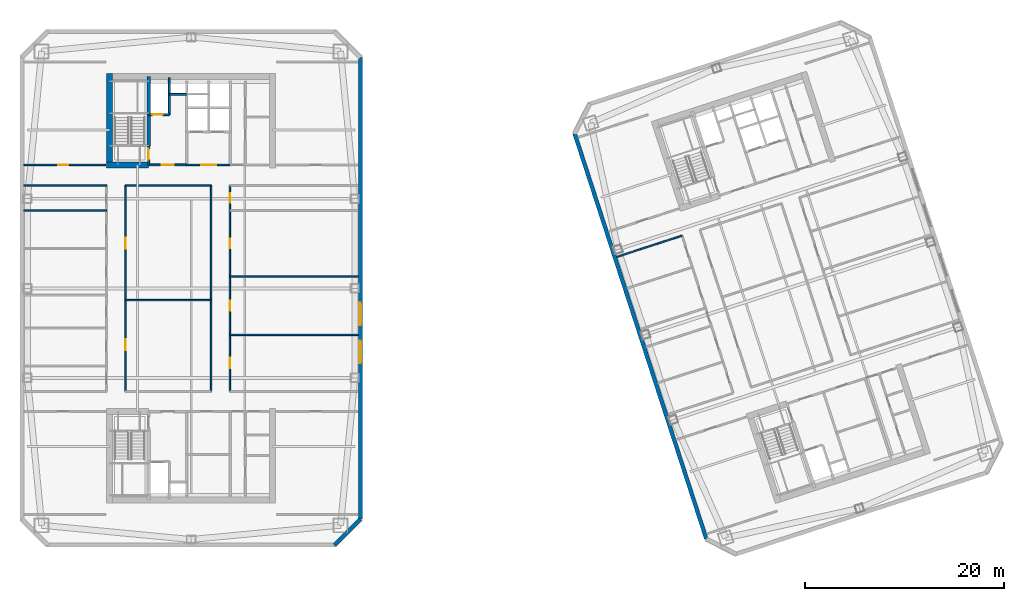
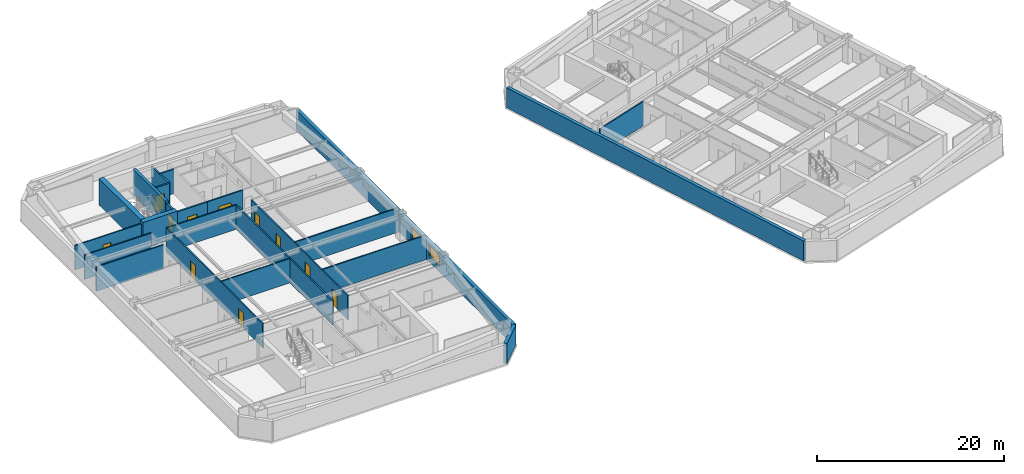
# One storey, part 6 of 13: 23 walls, 11 doors, 2 windows, 13 openings.
"""IFC4 building model written with IfcOpenShell, lengths in metres."""

from ifc_helpers import new_model, si_unit, direction, frame, frame_2d, origin, place, context, subcontext, project, spatial, rectangle, extrude, material, layer, layer_set, type_object, element, fill, save


model = new_model("IFC4")

# Units and contexts
model_context = context("Model", 3, precision=1e-05, world=origin(), true_north=direction((0.0, 1.0)))
body_context = subcontext(model_context, "Body", "Model", "MODEL_VIEW")
ifc_project = project(units=[si_unit("LENGTHUNIT", "METRE"), si_unit("AREAUNIT", "SQUARE_METRE"), si_unit("VOLUMEUNIT", "CUBIC_METRE"), si_unit("PLANEANGLEUNIT", "RADIAN"), si_unit("MASSUNIT", "GRAM", prefix="KILO")], contexts=[model_context])

# Site, building, storey
site_placement = place(None, origin())
site = spatial("IfcSite", under=ifc_project, at=site_placement, CompositionType="ELEMENT")
building_placement = place(site_placement, origin())
building = spatial("IfcBuilding", under=site, at=building_placement, Name="Qiaolan Cultural Towers", CompositionType="ELEMENT")
storey_placement = place(building_placement, frame((0.0, 0.0, 170.199951171875)))
storey = spatial("IfcBuildingStorey", under=building, at=storey_placement, Name="L45", CompositionType="ELEMENT", Elevation=170.199951171875)

# Walls
ifc_material_1 = material(Name="Concrete C50", Category="concrete")
ifc_layer_1 = layer(ifc_material_1, 0.35009765625)
ifc_layer_set_1 = layer_set([ifc_layer_1], Name="Concrete C50")
wall_type_1 = type_object("IfcWallType", Name="WL-CORE-350", PredefinedType="SHEAR", material=ifc_layer_set_1)
wall_1_placement = place(storey_placement, frame((25.719970703125, 48.300048828125, 0.0), z_axis=(0.0, 0.0, 1.0), x_axis=(0.0, 1.0, 0.0)))
element("IfcWall", 1, at=wall_1_placement, inside=storey, type_object=wall_type_1, Name="L45 T1-CN Stair Core Dividing Web", PredefinedType="SHEAR", context=body_context, shape_type="SweptSolid", body=[
    extrude(rectangle(XDim=6.97998046875, YDim=0.35009765625, at=frame_2d((3.489990234375, 0.0))), origin(), (0.0, 0.0, 1.0), 3.449951171875),
])
ifc_material_2 = material(Name="Concrete C55", Category="concrete")
ifc_layer_2 = layer(ifc_material_2, 0.60009765625)
ifc_layer_set_2 = layer_set([ifc_layer_2], Name="Concrete C55")
wall_type_2 = type_object("IfcWallType", Name="WL-CORE-600", PredefinedType="SHEAR", material=ifc_layer_set_2)
wall_2_placement = place(storey_placement, frame((21.800048828125, 46.10009765625, 0.0), z_axis=(0.0, 0.0, 1.0), x_axis=(0.0, 1.0, 0.0)))
element("IfcWall", 2, at=wall_2_placement, inside=storey, type_object=wall_type_2, Name="L45 T1-CN West Core Shear Wall", PredefinedType="SHEAR", context=body_context, shape_type="SweptSolid", body=[
    extrude(rectangle(XDim=9.47998046875, YDim=0.60009765625, at=frame_2d((4.739990234375, 0.0))), origin(), (0.0, 0.0, 1.0), 3.449951171875),
])
wall_3_placement = place(storey_placement, frame((21.5, 46.39990234375, 0.0), z_axis=(0.0, 0.0, 1.0), x_axis=(1.0, 0.0, 0.0)))
element("IfcWall", 3, at=wall_3_placement, inside=storey, type_object=wall_type_2, Name="L45 T1-CN Stair Front Shear Wall", PredefinedType="SHEAR", context=body_context, shape_type="SweptSolid", body=[
    extrude(rectangle(XDim=4.219970703125, YDim=0.60009765625, at=frame_2d((2.10986328125, 0.0))), origin(), (0.0, 0.0, 1.0), 3.449951171875),
])

# Wall, openings, windows
ifc_material_3 = material(Name="Precast Concrete C50 Honed Stone Pier", Category="masonry")
ifc_layer_3 = layer(ifc_material_3, 0.39990234375)
ifc_layer_set_3 = layer_set([ifc_layer_3], Name="Precast Concrete C50 Honed Stone Pier")
wall_type_3 = type_object("IfcWallType", Name="WL-EXT-PIER-400", PredefinedType="SOLIDWALL", material=ifc_layer_set_3)
wall_4_placement = place(storey_placement, frame((47.0, 57.199951171875, 0.0), z_axis=(0.0, 0.0, 1.0), x_axis=(0.0, -1.0, 0.0)))
wall_4 = element("IfcWall", 4, at=wall_4_placement, inside=storey, type_object=wall_type_3, Name="L45 West Tower Precast Pier Facade Wall F5", PredefinedType="SOLIDWALL", context=body_context, shape_type="SweptSolid", body=[
    extrude(rectangle(XDim=46.39990234375, YDim=0.39990234375, at=frame_2d((23.199951171875, 0.0))), origin(), (0.0, 0.0, 1.0), 2.610107421875),
])
opening_1_placement = place(wall_4_placement, frame((28.47509765625, 0.0, 0.75)))
opening_1 = element("IfcOpeningElement", 5, at=opening_1_placement, cuts=wall_4, Name="Opening W-03", PredefinedType="OPENING", context=body_context, shape_type="SweptSolid", body=[
    extrude(rectangle(XDim=2.25, YDim=1.4599609375, at=frame_2d((1.125, 0.72998046875))), frame((0.0, 0.2099609375, 0.0), z_axis=(0.0, -1.0, 0.0), x_axis=(1.0, 0.0, 0.0)), (0.0, 0.0, 1.0), 0.419921875),
])
opening_2_placement = place(wall_4_placement, frame((24.675048828125, 0.0, 0.75)))
opening_2 = element("IfcOpeningElement", 6, at=opening_2_placement, cuts=wall_4, Name="Opening W-03", PredefinedType="OPENING", context=body_context, shape_type="SweptSolid", body=[
    extrude(rectangle(XDim=2.25, YDim=1.4599609375, at=frame_2d((1.125, 0.72998046875))), frame((0.0, 0.2099609375, 0.0), z_axis=(0.0, -1.0, 0.0), x_axis=(1.0, 0.0, 0.0)), (0.0, 0.0, 1.0), 0.419921875),
])
ifc_material_4 = material(Name="Thermally Broken Aluminium Triple Low-E Glazing", Category="aluminium")
window_type = type_object("IfcWindowType", Name="WN-CHIC-2250", PartitioningType="SINGLE_PANEL", PredefinedType="WINDOW", material=ifc_material_4)
window_1_placement = place(opening_1_placement, origin())
window_1 = element("IfcWindow", 7, at=window_1_placement, inside=storey, type_object=window_type, Name="L45 T1 E Chicago Bay Window 1", OverallHeight=1.4599609375, OverallWidth=2.25, PartitioningType="TRIPLE_PANEL_VERTICAL", PredefinedType="WINDOW", context=body_context, shape_type="SweptSolid", body=[
    extrude(rectangle(XDim=2.25, YDim=1.4599609375, at=frame_2d((1.125, 0.72998046875))), frame((0.0, 0.030029296875, 0.0), z_axis=(0.0, -1.0, 0.0), x_axis=(1.0, 0.0, 0.0)), (0.0, 0.0, 1.0), 0.06005859375),
])
fill(opening_1, window_1)
window_2_placement = place(opening_2_placement, origin())
window_2 = element("IfcWindow", 8, at=window_2_placement, inside=storey, type_object=window_type, Name="L45 T1 E Chicago Bay Window 2", OverallHeight=1.4599609375, OverallWidth=2.25, PartitioningType="TRIPLE_PANEL_VERTICAL", PredefinedType="WINDOW", context=body_context, shape_type="SweptSolid", body=[
    extrude(rectangle(XDim=2.25, YDim=1.4599609375, at=frame_2d((1.125, 0.72998046875))), frame((0.0, 0.030029296875, 0.0), z_axis=(0.0, -1.0, 0.0), x_axis=(1.0, 0.0, 0.0)), (0.0, 0.0, 1.0), 0.06005859375),
])
fill(opening_2, window_2)

# Walls
wall_5_placement = place(storey_placement, frame((47.0, 10.800048828125, 0.0), z_axis=(0.0, 0.0, 1.0), x_axis=(-0.707106781187, -0.707106781187, 0.0)))
element("IfcWall", 9, at=wall_5_placement, inside=storey, type_object=wall_type_3, Name="L45 West Tower Precast Pier Facade Wall F6", PredefinedType="SOLIDWALL", context=body_context, shape_type="SweptSolid", body=[
    extrude(rectangle(XDim=3.677001953125, YDim=0.39990234375, at=frame_2d((1.83837890625, 0.0))), origin(), (0.0, 0.0, 1.0), 2.610107421875),
])
wall_6_placement = place(storey_placement, frame((81.7763671875, 8.82666015625, 0.0), z_axis=(0.0, 0.0, 1.0), x_axis=(-0.309014228706, 0.951057414911, 0.0)))
element("IfcWall", 10, at=wall_6_placement, inside=storey, type_object=wall_type_3, Name="L45 East Tower Precast Pier Facade Wall F1", PredefinedType="SOLIDWALL", context=body_context, shape_type="SweptSolid", body=[
    extrude(rectangle(XDim=42.800048828125, YDim=0.39990234375, at=frame_2d((21.39990234375, 0.0))), origin(), (0.0, 0.0, 1.0), 2.610107421875),
])

# Wall, opening, door
ifc_material_5 = material(Name="Concrete C35 Fire Wall", Category="concrete")
ifc_layer_4 = layer(ifc_material_5, 0.199951171875)
ifc_layer_set_4 = layer_set([ifc_layer_4], Name="Concrete C35 Fire Wall")
wall_type_4 = type_object("IfcWallType", Name="WL-FIRE-200", PredefinedType="PARTITIONING", material=ifc_layer_set_4)
wall_7_placement = place(storey_placement, frame((25.719970703125, 46.39990234375, 0.0), z_axis=(0.0, 0.0, 1.0), x_axis=(0.0, 1.0, 0.0)))
wall_7 = element("IfcWall", 11, at=wall_7_placement, inside=storey, type_object=wall_type_4, Name="L45 T1-CN Smokeproof Stair Entry Wall", PredefinedType="PARTITIONING", context=body_context, shape_type="SweptSolid", body=[
    extrude(rectangle(XDim=1.900146484375, YDim=0.199951171875, at=frame_2d((0.9501953125, 0.0))), origin(), (0.0, 0.0, 1.0), 3.175048828125),
])
opening_3_placement = place(wall_7_placement, frame((0.52001953125, 0.0, 0.0)))
opening_3 = element("IfcOpeningElement", 12, at=opening_3_placement, cuts=wall_7, Name="Opening FD-04", PredefinedType="OPENING", context=body_context, shape_type="SweptSolid", body=[
    extrude(rectangle(XDim=1.10009765625, YDim=2.050048828125, at=frame_2d((0.550048828125, 1.02490234375))), frame((0.0, 0.10986328125, 0.0), z_axis=(0.0, -1.0, 0.0), x_axis=(1.0, 0.0, 0.0)), (0.0, 0.0, 1.0), 0.219970703125),
])
ifc_material_6 = material(Name="Galvanized Steel Command Fire Door", Category="steel")
door_type_1 = type_object("IfcDoorType", Name="DR-FD90-1100", OperationType="NOTDEFINED", PredefinedType="DOOR", material=ifc_material_6)
door_1_placement = place(opening_3_placement, origin())
door_1 = element("IfcDoor", 13, at=door_1_placement, inside=storey, type_object=door_type_1, Name="L45 ST-W2 Smokeproof Stair Fire Door", OperationType="SINGLE_SWING_LEFT", OverallHeight=2.050048828125, OverallWidth=1.10009765625, PredefinedType="DOOR", context=body_context, shape_type="SweptSolid", body=[
    extrude(rectangle(XDim=1.10009765625, YDim=2.050048828125, at=frame_2d((0.550048828125, 1.02490234375))), frame((0.0, 0.02490234375, 0.0), z_axis=(0.0, -1.0, 0.0), x_axis=(1.0, 0.0, 0.0)), (0.0, 0.0, 1.0), 0.050048828125),
])
fill(opening_3, door_1)

wall_8_placement = place(storey_placement, frame((25.719970703125, 46.39990234375, 0.0), z_axis=(0.0, 0.0, 1.0), x_axis=(1.0, 0.0, 0.0)))
wall_8 = element("IfcWall", 14, at=wall_8_placement, inside=storey, type_object=wall_type_4, Name="L45 T1-CN Firefighting Lobby Front Wall", PredefinedType="PARTITIONING", context=body_context, shape_type="SweptSolid", body=[
    extrude(rectangle(XDim=3.830078125, YDim=0.199951171875, at=frame_2d((1.9150390625, 0.0))), origin(), (0.0, 0.0, 1.0), 3.175048828125),
])
opening_4_placement = place(wall_8_placement, frame((1.35009765625, 0.0, 0.0)))
opening_4 = element("IfcOpeningElement", 15, at=opening_4_placement, cuts=wall_8, Name="Opening FD-03", PredefinedType="OPENING", context=body_context, shape_type="SweptSolid", body=[
    extrude(rectangle(XDim=1.199951171875, YDim=2.050048828125, at=frame_2d((0.60009765625, 1.02490234375))), frame((0.0, 0.10986328125, 0.0), z_axis=(0.0, -1.0, 0.0), x_axis=(1.0, 0.0, 0.0)), (0.0, 0.0, 1.0), 0.219970703125),
])
ifc_material_7 = material(Name="Galvanized Steel Smokeproof Lobby Fire Door", Category="steel")
door_type_2 = type_object("IfcDoorType", Name="DR-FD90-1200", OperationType="NOTDEFINED", PredefinedType="DOOR", material=ifc_material_7)
door_2_placement = place(opening_4_placement, origin())
door_2 = element("IfcDoor", 16, at=door_2_placement, inside=storey, type_object=door_type_2, Name="L45 FFL-W2 Firefighting Lobby Fire Door", OperationType="SINGLE_SWING_LEFT", OverallHeight=2.050048828125, OverallWidth=1.199951171875, PredefinedType="DOOR", context=body_context, shape_type="SweptSolid", body=[
    extrude(rectangle(XDim=1.199951171875, YDim=2.050048828125, at=frame_2d((0.60009765625, 1.02490234375))), frame((0.0, 0.02490234375, 0.0), z_axis=(0.0, -1.0, 0.0), x_axis=(1.0, 0.0, 0.0)), (0.0, 0.0, 1.0), 0.050048828125),
])
fill(opening_4, door_2)

wall_9_placement = place(storey_placement, frame((25.719970703125, 51.449951171875, 0.0), z_axis=(0.0, 0.0, 1.0), x_axis=(1.0, 0.0, 0.0)))
wall_9 = element("IfcWall", 17, at=wall_9_placement, inside=storey, type_object=wall_type_4, Name="L45 T1-CN Firefighting Shaft Front Wall", PredefinedType="PARTITIONING", context=body_context, shape_type="SweptSolid", body=[
    extrude(rectangle(XDim=2.10009765625, YDim=0.199951171875, at=frame_2d((1.050048828125, 0.0))), origin(), (0.0, 0.0, 1.0), 3.175048828125),
])
opening_5_placement = place(wall_9_placement, frame((0.35009765625, 0.0, 0.0)))
opening_5 = element("IfcOpeningElement", 18, at=opening_5_placement, cuts=wall_9, Name="Opening LD-01", PredefinedType="OPENING", context=body_context, shape_type="SweptSolid", body=[
    extrude(rectangle(XDim=1.10009765625, YDim=2.050048828125, at=frame_2d((0.550048828125, 1.02490234375))), frame((0.0, 0.10986328125, 0.0), z_axis=(0.0, -1.0, 0.0), x_axis=(1.0, 0.0, 0.0)), (0.0, 0.0, 1.0), 0.219970703125),
])
ifc_material_8 = material(Name="Brushed Stainless Steel S30408 Centre-Parting Lift Landing Door", Category="steel")
door_type_3 = type_object("IfcDoorType", Name="DR-LIFT-1100", OperationType="NOTDEFINED", PredefinedType="DOOR", material=ifc_material_8)
door_3_placement = place(opening_5_placement, origin())
door_3 = element("IfcDoor", 19, at=door_3_placement, inside=storey, type_object=door_type_3, Name="L45 FFL-W2 Firefighting Lift Landing Door", OperationType="DOUBLE_DOOR_SLIDING", OverallHeight=2.050048828125, OverallWidth=1.10009765625, PredefinedType="DOOR", context=body_context, shape_type="SweptSolid", body=[
    extrude(rectangle(XDim=1.10009765625, YDim=2.050048828125, at=frame_2d((0.550048828125, 1.02490234375))), frame((0.0, 0.02490234375, 0.0), z_axis=(0.0, -1.0, 0.0), x_axis=(1.0, 0.0, 0.0)), (0.0, 0.0, 1.0), 0.050048828125),
])
fill(opening_5, door_3)

# Walls
wall_10_placement = place(storey_placement, frame((27.820068359375, 51.449951171875, 0.0), z_axis=(0.0, 0.0, 1.0), x_axis=(0.0, 1.0, 0.0)))
element("IfcWall", 20, at=wall_10_placement, inside=storey, type_object=wall_type_4, Name="L45 T1-CN Firefighting Hoistway East Wall", PredefinedType="PARTITIONING", context=body_context, shape_type="SweptSolid", body=[
    extrude(rectangle(XDim=3.699951171875, YDim=0.199951171875, at=frame_2d((1.85009765625, 0.0))), origin(), (0.0, 0.0, 1.0), 3.175048828125),
])
wall_11_placement = place(storey_placement, frame((27.820068359375, 53.47998046875, 0.0), z_axis=(0.0, 0.0, 1.0), x_axis=(1.0, 0.0, 0.0)))
element("IfcWall", 21, at=wall_11_placement, inside=storey, type_object=wall_type_4, Name="L45 T1-CN Pressurization Shaft Front Wall", PredefinedType="PARTITIONING", context=body_context, shape_type="SweptSolid", body=[
    extrude(rectangle(XDim=1.72998046875, YDim=0.199951171875, at=frame_2d((0.864990234375, 0.0))), origin(), (0.0, 0.0, 1.0), 3.175048828125),
])

# Wall, opening, door
ifc_material_9 = material(Name="Autoclaved Aerated Concrete Block B06", Category="concrete")
ifc_layer_5 = layer(ifc_material_9, 0.14990234375)
ifc_layer_set_5 = layer_set([ifc_layer_5], Name="Autoclaved Aerated Concrete Block B06")
wall_type_5 = type_object("IfcWallType", Name="WL-PART-150", PredefinedType="PARTITIONING", material=ifc_layer_set_5)
wall_12_placement = place(storey_placement, frame((29.550048828125, 46.39990234375, 0.0), z_axis=(0.0, 0.0, 1.0), x_axis=(1.0, 0.0, 0.0)))
wall_12 = element("IfcWall", 22, at=wall_12_placement, inside=storey, type_object=wall_type_5, Name="L45 T1-CN Passenger Lift Lobby Front Wall", PredefinedType="PARTITIONING", context=body_context, shape_type="SweptSolid", body=[
    extrude(rectangle(XDim=4.39990234375, YDim=0.14990234375, at=frame_2d((2.199951171875, 0.0))), origin(), (0.0, 0.0, 1.0), 3.175048828125),
])
opening_6_placement = place(wall_12_placement, frame((1.449951171875, 0.0, 0.0)))
opening_6 = element("IfcOpeningElement", 23, at=opening_6_placement, cuts=wall_12, Name="Opening FD-05", PredefinedType="OPENING", context=body_context, shape_type="SweptSolid", body=[
    extrude(rectangle(XDim=1.5, YDim=2.050048828125, at=frame_2d((0.75, 1.02490234375))), frame((0.0, 0.0849609375, 0.0), z_axis=(0.0, -1.0, 0.0), x_axis=(1.0, 0.0, 0.0)), (0.0, 0.0, 1.0), 0.169921875),
])
ifc_material_10 = material(Name="Painted Steel Lift Lobby Fire Door", Category="steel")
door_type_4 = type_object("IfcDoorType", Name="DR-FD60-1500", OperationType="NOTDEFINED", PredefinedType="DOOR", material=ifc_material_10)
door_4_placement = place(opening_6_placement, origin())
door_4 = element("IfcDoor", 24, at=door_4_placement, inside=storey, type_object=door_type_4, Name="L45 Passenger Lift Lobby Entrance", OperationType="SINGLE_SWING_LEFT", OverallHeight=2.050048828125, OverallWidth=1.5, PredefinedType="DOOR", context=body_context, shape_type="SweptSolid", body=[
    extrude(rectangle(XDim=1.5, YDim=2.050048828125, at=frame_2d((0.75, 1.02490234375))), frame((0.0, 0.02490234375, 0.0), z_axis=(0.0, -1.0, 0.0), x_axis=(1.0, 0.0, 0.0)), (0.0, 0.0, 1.0), 0.050048828125),
])
fill(opening_6, door_4)

wall_13_placement = place(storey_placement, frame((13.199951171875, 46.39990234375, 0.0), z_axis=(0.0, 0.0, 1.0), x_axis=(1.0, 0.0, 0.0)))
wall_13 = element("IfcWall", 25, at=wall_13_placement, inside=storey, type_object=wall_type_5, Name="L45 T1 Flank Front FLK-NW", PredefinedType="PARTITIONING", context=body_context, shape_type="SweptSolid", body=[
    extrude(rectangle(XDim=8.199951171875, YDim=0.14990234375, at=frame_2d((4.10009765625, 0.0))), origin(), (0.0, 0.0, 1.0), 3.175048828125),
])
opening_7_placement = place(wall_13_placement, frame((3.444091796875, 0.0, 0.0)))
opening_7 = element("IfcOpeningElement", 26, at=opening_7_placement, cuts=wall_13, Name="Opening ID-04", PredefinedType="OPENING", context=body_context, shape_type="SweptSolid", body=[
    extrude(rectangle(XDim=1.0, YDim=2.050048828125, at=frame_2d((0.5, 1.02490234375))), frame((0.0, 0.0849609375, 0.0), z_axis=(0.0, -1.0, 0.0), x_axis=(1.0, 0.0, 0.0)), (0.0, 0.0, 1.0), 0.169921875),
])
ifc_material_11 = material(Name="Oak Veneer Acoustic Office Door", Category="timber")
door_type_5 = type_object("IfcDoorType", Name="DR-INT-1000", OperationType="NOTDEFINED", PredefinedType="DOOR", material=ifc_material_11)
door_5_placement = place(opening_7_placement, origin())
door_5 = element("IfcDoor", 27, at=door_5_placement, inside=storey, type_object=door_type_5, Name="L45 T1 Corner Studio Door", OperationType="SINGLE_SWING_LEFT", OverallHeight=2.050048828125, OverallWidth=1.0, PredefinedType="DOOR", context=body_context, shape_type="SweptSolid", body=[
    extrude(rectangle(XDim=1.0, YDim=2.050048828125, at=frame_2d((0.5, 1.02490234375))), frame((0.0, 0.02490234375, 0.0), z_axis=(0.0, -1.0, 0.0), x_axis=(1.0, 0.0, 0.0)), (0.0, 0.0, 1.0), 0.050048828125),
])
fill(opening_7, door_5)

# Walls
wall_14_placement = place(storey_placement, frame((13.199951171875, 44.35009765625, 0.0), z_axis=(0.0, 0.0, 1.0), x_axis=(1.0, 0.0, 0.0)))
element("IfcWall", 28, at=wall_14_placement, inside=storey, type_object=wall_type_5, Name="L45 T1 Interior Wall", PredefinedType="PARTITIONING", context=body_context, shape_type="SweptSolid", body=[
    extrude(rectangle(XDim=8.300048828125, YDim=0.14990234375, at=frame_2d((4.14990234375, 0.0))), origin(), (0.0, 0.0, 1.0), 3.175048828125),
])
wall_15_placement = place(storey_placement, frame((23.39990234375, 44.35009765625, 0.0), z_axis=(0.0, 0.0, 1.0), x_axis=(1.0, 0.0, 0.0)))
element("IfcWall", 29, at=wall_15_placement, inside=storey, type_object=wall_type_5, Name="L45 T1 Interior Wall", PredefinedType="PARTITIONING", context=body_context, shape_type="SweptSolid", body=[
    extrude(rectangle(XDim=8.60009765625, YDim=0.14990234375, at=frame_2d((4.300048828125, 0.0))), origin(), (0.0, 0.0, 1.0), 3.175048828125),
])

# Wall, openings, doors
wall_16_placement = place(storey_placement, frame((23.39990234375, 23.64990234375, 0.0), z_axis=(0.0, 0.0, 1.0), x_axis=(0.0, 1.0, 0.0)))
wall_16 = element("IfcWall", 30, at=wall_16_placement, inside=storey, type_object=wall_type_5, Name="L45 T1 Interior Wall", PredefinedType="PARTITIONING", context=body_context, shape_type="SweptSolid", body=[
    extrude(rectangle(XDim=20.7001953125, YDim=0.14990234375, at=frame_2d((10.35009765625, 0.0))), origin(), (0.0, 0.0, 1.0), 3.175048828125),
])
opening_8_placement = place(wall_16_placement, frame((4.117431640625, 0.0, 0.0)))
opening_8 = element("IfcOpeningElement", 31, at=opening_8_placement, cuts=wall_16, Name="Opening ID-03", PredefinedType="OPENING", context=body_context, shape_type="SweptSolid", body=[
    extrude(rectangle(XDim=1.10009765625, YDim=2.050048828125, at=frame_2d((0.550048828125, 1.02490234375))), frame((0.0, 0.0849609375, 0.0), z_axis=(0.0, -1.0, 0.0), x_axis=(1.0, 0.0, 0.0)), (0.0, 0.0, 1.0), 0.169921875),
])
opening_9_placement = place(wall_16_placement, frame((14.347412109375, 0.0, 0.0)))
opening_9 = element("IfcOpeningElement", 32, at=opening_9_placement, cuts=wall_16, Name="Opening ID-03", PredefinedType="OPENING", context=body_context, shape_type="SweptSolid", body=[
    extrude(rectangle(XDim=1.10009765625, YDim=2.050048828125, at=frame_2d((0.550048828125, 1.02490234375))), frame((0.0, 0.0849609375, 0.0), z_axis=(0.0, -1.0, 0.0), x_axis=(1.0, 0.0, 0.0)), (0.0, 0.0, 1.0), 0.169921875),
])
ifc_material_12 = material(Name="Oak Veneer Solid-Core Boardroom Door", Category="timber")
door_type_6 = type_object("IfcDoorType", Name="DR-INT-1100", OperationType="NOTDEFINED", PredefinedType="DOOR", material=ifc_material_12)
door_6_placement = place(opening_8_placement, origin())
door_6 = element("IfcDoor", 33, at=door_6_placement, inside=storey, type_object=door_type_6, Name="L45 T1 Central Boardroom Door", OperationType="SINGLE_SWING_LEFT", OverallHeight=2.050048828125, OverallWidth=1.10009765625, PredefinedType="DOOR", context=body_context, shape_type="SweptSolid", body=[
    extrude(rectangle(XDim=1.10009765625, YDim=2.050048828125, at=frame_2d((0.550048828125, 1.02490234375))), frame((0.0, 0.02490234375, 0.0), z_axis=(0.0, -1.0, 0.0), x_axis=(1.0, 0.0, 0.0)), (0.0, 0.0, 1.0), 0.050048828125),
])
fill(opening_8, door_6)
door_7_placement = place(opening_9_placement, origin())
door_7 = element("IfcDoor", 34, at=door_7_placement, inside=storey, type_object=door_type_6, Name="L45 T1 Central Archive Salon Door", OperationType="SINGLE_SWING_RIGHT", OverallHeight=2.050048828125, OverallWidth=1.10009765625, PredefinedType="DOOR", context=body_context, shape_type="SweptSolid", body=[
    extrude(rectangle(XDim=1.10009765625, YDim=2.050048828125, at=frame_2d((0.550048828125, 1.02490234375))), frame((0.0, 0.02490234375, 0.0), z_axis=(0.0, -1.0, 0.0), x_axis=(1.0, 0.0, 0.0)), (0.0, 0.0, 1.0), 0.050048828125),
])
fill(opening_9, door_7)

# Wall
wall_17_placement = place(storey_placement, frame((32.0, 23.64990234375, 0.0), z_axis=(0.0, 0.0, 1.0), x_axis=(0.0, 1.0, 0.0)))
element("IfcWall", 35, at=wall_17_placement, inside=storey, type_object=wall_type_5, Name="L45 T1 Interior Wall", PredefinedType="PARTITIONING", context=body_context, shape_type="SweptSolid", body=[
    extrude(rectangle(XDim=20.7001953125, YDim=0.14990234375, at=frame_2d((10.35009765625, 0.0))), origin(), (0.0, 0.0, 1.0), 3.175048828125),
])

# Wall, openings, doors
wall_18_placement = place(storey_placement, frame((33.89990234375, 23.64990234375, 0.0), z_axis=(0.0, 0.0, 1.0), x_axis=(0.0, 1.0, 0.0)))
wall_18 = element("IfcWall", 36, at=wall_18_placement, inside=storey, type_object=wall_type_5, Name="L45 T1 Interior Wall", PredefinedType="PARTITIONING", context=body_context, shape_type="SweptSolid", body=[
    extrude(rectangle(XDim=20.7001953125, YDim=0.14990234375, at=frame_2d((10.35009765625, 0.0))), origin(), (0.0, 0.0, 1.0), 3.175048828125),
])
opening_10_placement = place(wall_18_placement, frame((2.32861328125, 0.0, 0.0)))
opening_10 = element("IfcOpeningElement", 37, at=opening_10_placement, cuts=wall_18, Name="Opening ID-07", PredefinedType="OPENING", context=body_context, shape_type="SweptSolid", body=[
    extrude(rectangle(XDim=1.050048828125, YDim=2.050048828125, at=frame_2d((0.52490234375, 1.02490234375))), frame((0.0, 0.0849609375, 0.0), z_axis=(0.0, -1.0, 0.0), x_axis=(1.0, 0.0, 0.0)), (0.0, 0.0, 1.0), 0.169921875),
])
opening_11_placement = place(wall_18_placement, frame((8.103515625, 0.0, 0.0)))
opening_11 = element("IfcOpeningElement", 38, at=opening_11_placement, cuts=wall_18, Name="Opening ID-04", PredefinedType="OPENING", context=body_context, shape_type="SweptSolid", body=[
    extrude(rectangle(XDim=1.0, YDim=2.050048828125, at=frame_2d((0.5, 1.02490234375))), frame((0.0, 0.0849609375, 0.0), z_axis=(0.0, -1.0, 0.0), x_axis=(1.0, 0.0, 0.0)), (0.0, 0.0, 1.0), 0.169921875),
])
opening_12_placement = place(wall_18_placement, frame((14.35009765625, 0.0, 0.0)))
opening_12 = element("IfcOpeningElement", 39, at=opening_12_placement, cuts=wall_18, Name="Opening ID-04", PredefinedType="OPENING", context=body_context, shape_type="SweptSolid", body=[
    extrude(rectangle(XDim=1.0, YDim=2.050048828125, at=frame_2d((0.5, 1.02490234375))), frame((0.0, 0.0849609375, 0.0), z_axis=(0.0, -1.0, 0.0), x_axis=(1.0, 0.0, 0.0)), (0.0, 0.0, 1.0), 0.169921875),
])
opening_13_placement = place(wall_18_placement, frame((18.925048828125, 0.0, 0.0)))
opening_13 = element("IfcOpeningElement", 40, at=opening_13_placement, cuts=wall_18, Name="Opening ID-04", PredefinedType="OPENING", context=body_context, shape_type="SweptSolid", body=[
    extrude(rectangle(XDim=1.0, YDim=2.050048828125, at=frame_2d((0.5, 1.02490234375))), frame((0.0, 0.0849609375, 0.0), z_axis=(0.0, -1.0, 0.0), x_axis=(1.0, 0.0, 0.0)), (0.0, 0.0, 1.0), 0.169921875),
])
door_8_placement = place(opening_11_placement, origin())
door_8 = element("IfcDoor", 41, at=door_8_placement, inside=storey, type_object=door_type_5, Name="L45 T1 Private Office Door", OperationType="SINGLE_SWING_LEFT", OverallHeight=2.050048828125, OverallWidth=1.0, PredefinedType="DOOR", context=body_context, shape_type="SweptSolid", body=[
    extrude(rectangle(XDim=1.0, YDim=2.050048828125, at=frame_2d((0.5, 1.02490234375))), frame((0.0, 0.02490234375, 0.0), z_axis=(0.0, -1.0, 0.0), x_axis=(1.0, 0.0, 0.0)), (0.0, 0.0, 1.0), 0.050048828125),
])
fill(opening_11, door_8)
door_9_placement = place(opening_12_placement, origin())
door_9 = element("IfcDoor", 42, at=door_9_placement, inside=storey, type_object=door_type_5, Name="L45 T1 Occupational Health Room Door", OperationType="SINGLE_SWING_RIGHT", OverallHeight=2.050048828125, OverallWidth=1.0, PredefinedType="DOOR", context=body_context, shape_type="SweptSolid", body=[
    extrude(rectangle(XDim=1.0, YDim=2.050048828125, at=frame_2d((0.5, 1.02490234375))), frame((0.0, 0.02490234375, 0.0), z_axis=(0.0, -1.0, 0.0), x_axis=(1.0, 0.0, 0.0)), (0.0, 0.0, 1.0), 0.050048828125),
])
fill(opening_12, door_9)
door_10_placement = place(opening_13_placement, origin())
door_10 = element("IfcDoor", 43, at=door_10_placement, inside=storey, type_object=door_type_5, Name="L45 T1 Catering Kitchen Door", OperationType="SINGLE_SWING_LEFT", OverallHeight=2.050048828125, OverallWidth=1.0, PredefinedType="DOOR", context=body_context, shape_type="SweptSolid", body=[
    extrude(rectangle(XDim=1.0, YDim=2.050048828125, at=frame_2d((0.5, 1.02490234375))), frame((0.0, 0.02490234375, 0.0), z_axis=(0.0, -1.0, 0.0), x_axis=(1.0, 0.0, 0.0)), (0.0, 0.0, 1.0), 0.050048828125),
])
fill(opening_13, door_10)
ifc_material_13 = material(Name="Oak Veneer Consultation Door", Category="timber")
door_type_7 = type_object("IfcDoorType", Name="DR-INT-1050", OperationType="NOTDEFINED", PredefinedType="DOOR", material=ifc_material_13)
door_11_placement = place(opening_10_placement, origin())
door_11 = element("IfcDoor", 44, at=door_11_placement, inside=storey, type_object=door_type_7, Name="L45 T1 Private Office Door", OperationType="SINGLE_SWING_RIGHT", OverallHeight=2.050048828125, OverallWidth=1.050048828125, PredefinedType="DOOR", context=body_context, shape_type="SweptSolid", body=[
    extrude(rectangle(XDim=1.050048828125, YDim=2.050048828125, at=frame_2d((0.52490234375, 1.02490234375))), frame((0.0, 0.02490234375, 0.0), z_axis=(0.0, -1.0, 0.0), x_axis=(1.0, 0.0, 0.0)), (0.0, 0.0, 1.0), 0.050048828125),
])
fill(opening_10, door_11)

# Walls
wall_19_placement = place(storey_placement, frame((23.39990234375, 32.800048828125, 0.0), z_axis=(0.0, 0.0, 1.0), x_axis=(1.0, 0.0, 0.0)))
element("IfcWall", 45, at=wall_19_placement, inside=storey, type_object=wall_type_5, Name="L45 T1 Interior Wall", PredefinedType="PARTITIONING", context=body_context, shape_type="SweptSolid", body=[
    extrude(rectangle(XDim=8.60009765625, YDim=0.14990234375, at=frame_2d((4.300048828125, 0.0))), origin(), (0.0, 0.0, 1.0), 3.175048828125),
])
wall_20_placement = place(storey_placement, frame((13.199951171875, 41.800048828125, 0.0), z_axis=(0.0, 0.0, 1.0), x_axis=(1.0, 0.0, 0.0)))
element("IfcWall", 46, at=wall_20_placement, inside=storey, type_object=wall_type_5, Name="L45 T1 Interior Wall", PredefinedType="PARTITIONING", context=body_context, shape_type="SweptSolid", body=[
    extrude(rectangle(XDim=8.300048828125, YDim=0.14990234375, at=frame_2d((4.14990234375, 0.0))), origin(), (0.0, 0.0, 1.0), 3.175048828125),
])
for number, where, z_axis, x_axis, name in (
    (47, (33.89990234375, 29.306884765625, 0.0), (0.0, 0.0, 1.0), (1.0, 0.0, 0.0), "L45 T1 Interior Wall"),
    (48, (33.89990234375, 35.199951171875, 0.0), (0.0, 0.0, 1.0), (1.0, 0.0, 0.0), "L45 T1 Interior Wall"),
):
    element("IfcWall", number, at=place(storey_placement, frame(where, z_axis=z_axis, x_axis=x_axis)), inside=storey, type_object=wall_type_5, Name=name, PredefinedType="PARTITIONING", context=body_context, shape_type="SweptSolid", body=[
        extrude(rectangle(XDim=12.900146484375, YDim=0.14990234375, at=frame_2d((6.4501953125, 0.0))), origin(), (0.0, 0.0, 1.0), 3.175048828125),
    ])
wall_21_placement = place(storey_placement, frame((72.78271484375, 37.15380859375, 0.0), z_axis=(0.0, 0.0, 1.0), x_axis=(0.951051488548, 0.309032467762, 0.0)))
element("IfcWall", 49, at=wall_21_placement, inside=storey, type_object=wall_type_5, Name="L45 T2 Interior Wall", PredefinedType="PARTITIONING", context=body_context, shape_type="SweptSolid", body=[
    extrude(rectangle(XDim=6.89990234375, YDim=0.14990234375, at=frame_2d((3.449951171875, 0.0))), origin(), (0.0, 0.0, 1.0), 3.175048828125),
])

save(model, "model.ifc")
